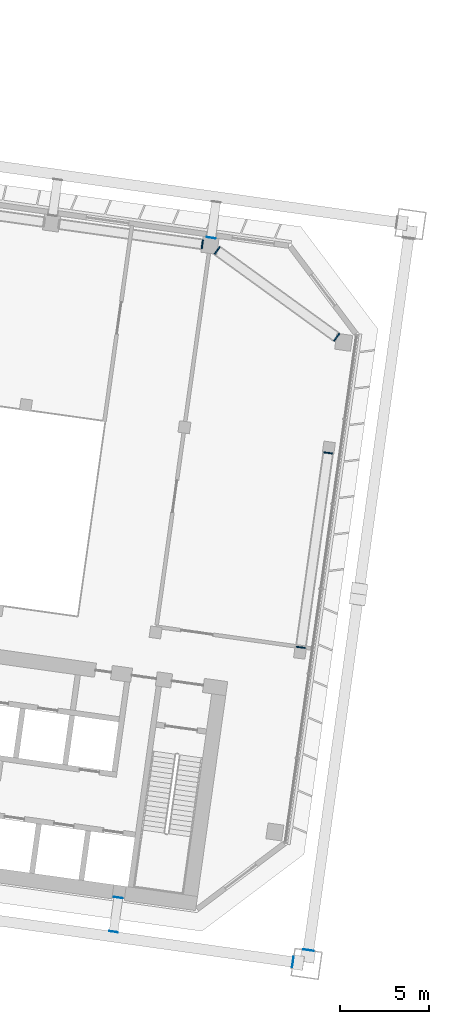
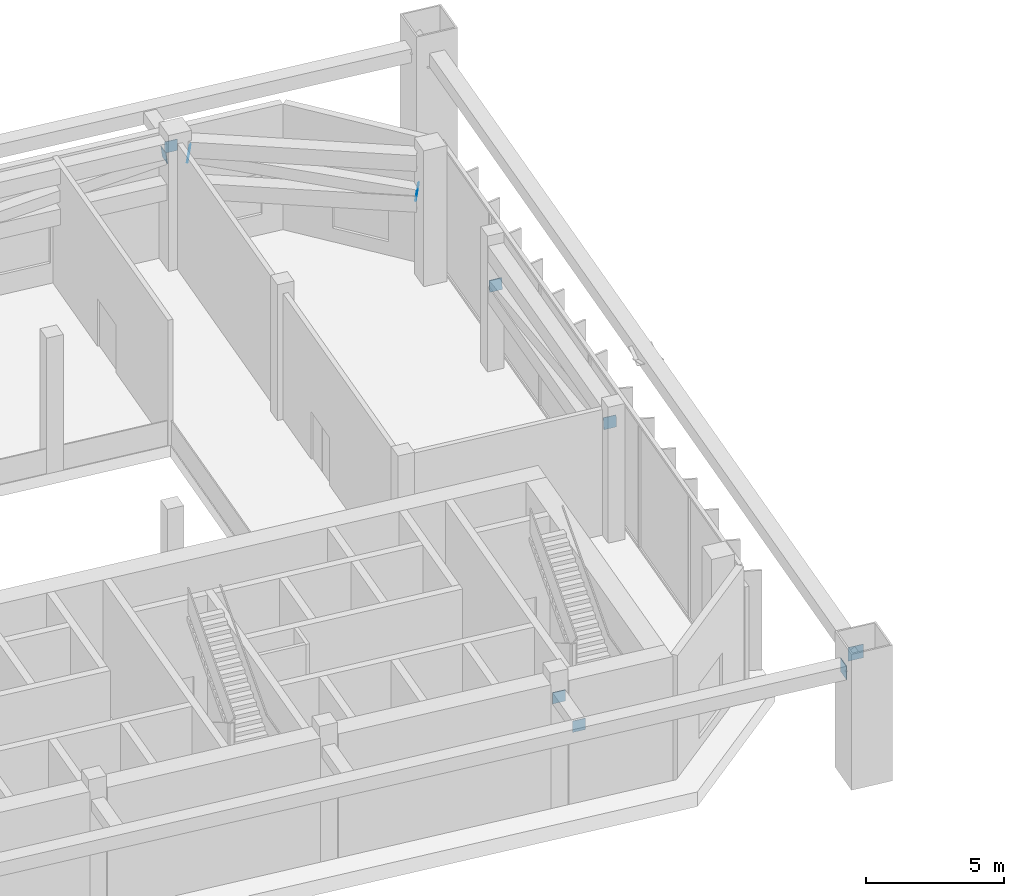
# One storey, part 33 of 41: 10 discrete accessories.
"""IFC4 building model written with IfcOpenShell, lengths in metres."""

from ifc_helpers import new_model, si_unit, direction, frame, origin, origin_2d, place, context, subcontext, project, spatial, rectangle, extrude, material, material_profile, profile_set, type_object, element, save


model = new_model("IFC4")

# Units and contexts
model_context = context("Model", 3, precision=1e-05, world=origin(), true_north=direction((0.0, 1.0)))
body_context = subcontext(model_context, "Body", "Model", "MODEL_VIEW")
ifc_project = project(units=[si_unit("LENGTHUNIT", "METRE"), si_unit("AREAUNIT", "SQUARE_METRE"), si_unit("VOLUMEUNIT", "CUBIC_METRE"), si_unit("PLANEANGLEUNIT", "RADIAN"), si_unit("MASSUNIT", "GRAM", prefix="KILO")], contexts=[model_context])

# Site, building, storey
site_placement = place(None, origin())
site = spatial("IfcSite", under=ifc_project, at=site_placement, CompositionType="ELEMENT")
building_placement = place(site_placement, origin())
building = spatial("IfcBuilding", under=site, at=building_placement, Name="Mirante Cascada Hotel Towers", CompositionType="ELEMENT")
storey_placement = place(building_placement, frame((0.0, 0.0, 92.7)))
storey = spatial("IfcBuildingStorey", under=building, at=storey_placement, Name="L20", CompositionType="ELEMENT", Elevation=92.7)

# Discrete accessories
ifc_material_1 = material(Name="Steel ASTM A572 Gr 50", Category="steel")
ifc_material_profile_1 = material_profile(ifc_material_1, rectangle(XDim=0.5, YDim=0.5, at=origin_2d()), Name="Connection plate 500x500x25 ASTM A572 Gr 50")
ifc_profile_set_1 = profile_set([ifc_material_profile_1], Name="Steel ASTM A572 Gr 50")
discrete_accessory_type_1 = type_object("IfcDiscreteAccessoryType", Name="Connection plate 500x500x25 ASTM A572 Gr 50", PredefinedType="BRACKET", material=ifc_profile_set_1)
for number, where, z_axis, x_axis, name in (
    (1, (-29.2439, 12.1561, 3.7484), (-0.8029021, 0.582104, 0.1284643), (-0.5869676, -0.8096104, 0.0), "Connection plate BT20D"),
    (2, (-35.9663, 17.0304, 4.8484), (-0.8029021, 0.582104, 0.1284643), (-0.5869676, -0.8096104, 0.0), "Connection plate BT20D"),
):
    element("IfcDiscreteAccessory", number, at=place(storey_placement, frame(where, z_axis=z_axis, x_axis=x_axis)), inside=storey, type_object=discrete_accessory_type_1, Name=name, PredefinedType="BRACKET", context=body_context, shape_type="SweptSolid", body=[
        extrude(rectangle(XDim=0.5, YDim=0.5, at=origin_2d()), origin(), (0.0, 0.0, 1.0), 0.0249),
    ])
discrete_accessory_1_placement = place(storey_placement, frame((-36.7861, 17.3831, 4.8517), z_axis=(-0.9812804, 0.1361777, -0.1361777), x_axis=(-0.1374582, -0.9905076, 0.0)))
element("IfcDiscreteAccessory", 3, at=discrete_accessory_1_placement, inside=storey, type_object=discrete_accessory_type_1, Name="Connection plate BT20D", PredefinedType="BRACKET", context=body_context, shape_type="SweptSolid", body=[
    extrude(rectangle(XDim=0.5, YDim=0.5, at=origin_2d()), origin(), (0.0, 0.0, 1.0), 0.025),
])
for number, where, z_axis, x_axis, name in (
    (4, (-31.2699, -5.2877, 4.8512), (0.136275, 0.9859898, -0.0961941), (-0.9905835, 0.1369099, 0.0), "Connection plate BT20D"),
    (5, (-29.7334, 5.6449, 3.7512), (0.136275, 0.9859898, -0.0961941), (-0.9905835, 0.1369099, 0.0), "Connection plate BT20D"),
    (6, (-36.3144, 17.7384, 4.85), (0.1402989, 0.9901092, 0.0), (-0.9901092, 0.1402989, 0.0), "Connection plate TIE"),
):
    element("IfcDiscreteAccessory", number, at=place(storey_placement, frame(where, z_axis=z_axis, x_axis=x_axis)), inside=storey, type_object=discrete_accessory_type_1, Name=name, PredefinedType="BRACKET", context=body_context, shape_type="SweptSolid", body=[
        extrude(rectangle(XDim=0.5, YDim=0.5, at=origin_2d()), origin(), (0.0, 0.0, 1.0), 0.0249),
    ])
for number, where, z_axis, x_axis, name in (
    (7, (-41.5243, -19.3323, 4.85), (-0.1397442, -0.9901876, 0.0), (0.9901876, -0.1397442, 0.0), "Connection plate TIE"),
    (8, (-41.7943, -21.2534, 4.85), (-0.1397442, -0.9901876, 0.0), (0.9901876, -0.1397442, 0.0), "Connection plate TIE"),
):
    element("IfcDiscreteAccessory", number, at=place(storey_placement, frame(where, z_axis=z_axis, x_axis=x_axis)), inside=storey, type_object=discrete_accessory_type_1, Name=name, PredefinedType="BRACKET", context=body_context, shape_type="SweptSolid", body=[
        extrude(rectangle(XDim=0.5, YDim=0.5, at=origin_2d()), origin(), (0.0, 0.0, 1.0), 0.025),
    ])
ifc_material_2 = material(Name="Steel ASTM A572 Gr 50", Category="steel")
ifc_material_profile_2 = material_profile(ifc_material_2, rectangle(XDim=0.6, YDim=0.6, at=origin_2d()), Name="Connection plate 600x600x25 ASTM A572 Gr 50")
ifc_profile_set_2 = profile_set([ifc_material_profile_2], Name="Steel ASTM A572 Gr 50")
discrete_accessory_type_2 = type_object("IfcDiscreteAccessoryType", Name="Connection plate 600x600x25 ASTM A572 Gr 50", PredefinedType="BRACKET", material=ifc_profile_set_2)
discrete_accessory_2_placement = place(storey_placement, frame((-31.7021, -22.9672, 4.85), z_axis=(-0.9901876, 0.1397442, 0.0), x_axis=(-0.1397442, -0.9901876, 0.0)))
element("IfcDiscreteAccessory", 9, at=discrete_accessory_2_placement, inside=storey, type_object=discrete_accessory_type_2, Name="Connection plate NCH", PredefinedType="BRACKET", context=body_context, shape_type="SweptSolid", body=[
    extrude(rectangle(XDim=0.6, YDim=0.6, at=origin_2d()), origin(), (0.0, 0.0, 1.0), 0.025),
])
discrete_accessory_3_placement = place(storey_placement, frame((-30.8353, -22.3139, 4.85), z_axis=(0.1402989, 0.9901092, 0.0), x_axis=(-0.9901092, 0.1402989, 0.0)))
element("IfcDiscreteAccessory", 10, at=discrete_accessory_3_placement, inside=storey, type_object=discrete_accessory_type_2, Name="Connection plate NCH", PredefinedType="BRACKET", context=body_context, shape_type="SweptSolid", body=[
    extrude(rectangle(XDim=0.6, YDim=0.6, at=origin_2d()), origin(), (0.0, 0.0, 1.0), 0.0249),
])

save(model, "model.ifc")
